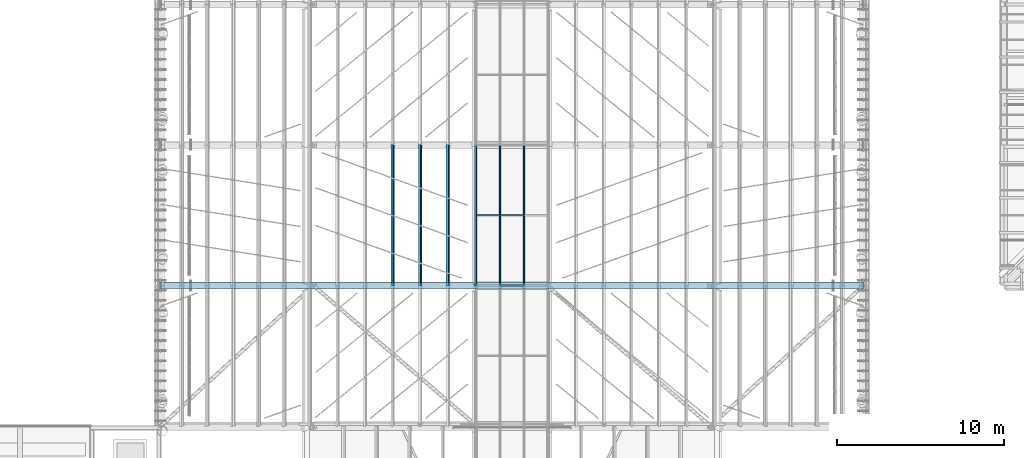
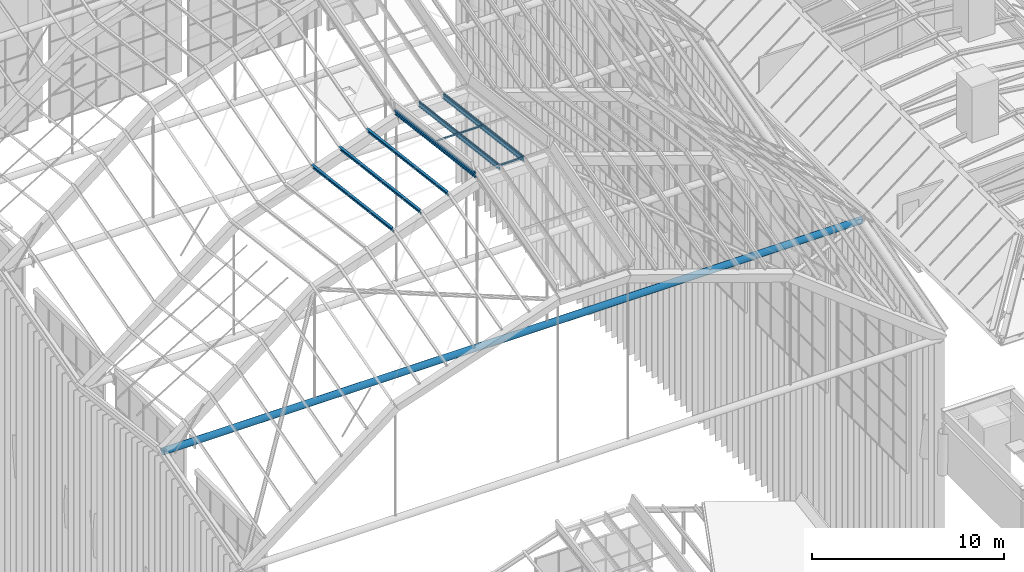
# One storey, part 23 of 126: 13 members.
"""IFC4 building model written with IfcOpenShell, lengths in metres."""

from ifc_helpers import new_model, si_unit, direction, frame, origin, origin_2d, place, context, subcontext, project, spatial, rectangle, hollow_circle, i_section, extrude, material, material_profile, profile_set, type_object, element, save


model = new_model("IFC4")

# Units and contexts
model_context = context("Model", 3, precision=1e-05, world=origin(), true_north=direction((0.0, 1.0)))
body_context = subcontext(model_context, "Body", "Model", "MODEL_VIEW")
ifc_project = project(units=[si_unit("LENGTHUNIT", "METRE"), si_unit("AREAUNIT", "SQUARE_METRE"), si_unit("VOLUMEUNIT", "CUBIC_METRE"), si_unit("PLANEANGLEUNIT", "RADIAN"), si_unit("MASSUNIT", "GRAM", prefix="KILO")], contexts=[model_context])

# Site, building, storey
site_placement = place(None, origin())
site = spatial("IfcSite", under=ifc_project, at=site_placement, CompositionType="ELEMENT")
building_placement = place(site_placement, origin())
building = spatial("IfcBuilding", under=site, at=building_placement, Name="Sava Quay Ferry Terminal", CompositionType="ELEMENT")
storey_placement = place(building_placement, frame((0.0, 0.0, 15.0)))
storey = spatial("IfcBuildingStorey", under=building, at=storey_placement, Name="L03", CompositionType="ELEMENT", Elevation=15.0)

# Members
ifc_material_1 = material(Name="Steel S355", Category="steel")
ifc_material_profile_1 = material_profile(ifc_material_1, hollow_circle(Radius=0.203125, WallThickness=0.01611328125, at=origin_2d()), Name="CHS 406.4 x 16.0")
ifc_profile_set_1 = profile_set([ifc_material_profile_1], Name="Steel S355")
member_type_1 = type_object("IfcMemberType", Name="D arch tie CHS 406.4x16", PredefinedType="USERDEFINED", material=ifc_profile_set_1)
member_1_placement = place(storey_placement, frame((42.0, 58.800048828125, 10.757080078125), z_axis=(1.0, 0.0, 0.0), x_axis=(0.0, 1.0, 0.0)))
element("IfcMember", 1, at=member_1_placement, inside=storey, type_object=member_type_1, Name="Departure hall arch tie R1", ObjectType="ARCH TIE", PredefinedType="USERDEFINED", context=body_context, shape_type="SweptSolid", body=[
    extrude(hollow_circle(Radius=0.203125, WallThickness=0.01611328125, at=origin_2d()), origin(), (0.0, 0.0, 1.0), 42.0),
])
ifc_material_2 = material(Name="Aluminium EN AW-6063 T6", Category="aluminium")
ifc_material_profile_2 = material_profile(ifc_material_2, rectangle(XDim=0.06005859375, YDim=0.06005859375, at=origin_2d()), Name="Bar 60 x 60")
ifc_profile_set_2 = profile_set([ifc_material_profile_2], Name="Aluminium EN AW-6063 T6")
member_type_2 = type_object("IfcMemberType", Name="Glazing bar 60x60", PredefinedType="USERDEFINED", material=ifc_profile_set_2)
for number, where, z_axis, x_axis, name in (
    (2, (60.850341796875, 58.800048828125, 21.85888671875), (0.0, 0.992379601397, -0.123218207788), (-1.0, 0.0, 0.0), "Departure hall glazing bar D-B1-GL2.0"),
    (3, (62.266845703125, 58.800048828125, 21.85888671875), (0.0, 0.992379601397, -0.123218207788), (-1.0, 0.0, 0.0), "Departure hall glazing bar D-B1-GL2.1"),
    (4, (63.733154296875, 58.800048828125, 21.85888671875), (0.0, 0.992379601397, -0.123218207788), (-1.0, 0.0, 0.0), "Departure hall glazing bar D-B1-GL2.2"),
):
    element("IfcMember", number, at=place(storey_placement, frame(where, z_axis=z_axis, x_axis=x_axis)), inside=storey, type_object=member_type_2, Name=name, ObjectType="GLAZING BAR", PredefinedType="USERDEFINED", context=body_context, shape_type="SweptSolid", body=[
        extrude(rectangle(XDim=0.06005859375, YDim=0.06005859375, at=origin_2d()), origin(), (0.0, 0.0, 1.0), 8.46435546875),
    ])
member_2_placement = place(storey_placement, frame((62.296630859375, 58.800048828125, 21.85595703125), z_axis=(1.0, 0.0, 0.0), x_axis=(0.0, 0.992379325118, -0.123220432876)))
element("IfcMember", 5, at=member_2_placement, inside=storey, type_object=member_type_2, Name="Departure hall glazing bar D-R1-GT2.1", ObjectType="GLAZING BAR", PredefinedType="USERDEFINED", context=body_context, shape_type="SweptSolid", body=[
    extrude(rectangle(XDim=0.06005859375, YDim=0.06005859375, at=origin_2d()), origin(), (0.0, 0.0, 1.0), 1.40673828125),
])
member_3_placement = place(storey_placement, frame((60.88037109375, 63.0, 21.33740234375), z_axis=(1.0, 0.0, 0.0), x_axis=(0.0, 0.992379325118, -0.123220432876)))
element("IfcMember", 6, at=member_3_placement, inside=storey, type_object=member_type_2, Name="Departure hall glazing bar D-B1M-GT2.0", ObjectType="GLAZING BAR", PredefinedType="USERDEFINED", context=body_context, shape_type="SweptSolid", body=[
    extrude(rectangle(XDim=0.06005859375, YDim=0.06005859375, at=origin_2d()), origin(), (0.0, 0.0, 1.0), 1.3564453125),
])
member_4_placement = place(storey_placement, frame((62.296875, 63.0, 21.33740234375), z_axis=(1.0, 0.0, 0.0), x_axis=(0.0, 0.992379325118, -0.123220432876)))
element("IfcMember", 7, at=member_4_placement, inside=storey, type_object=member_type_2, Name="Departure hall glazing bar D-B1M-GT2.1", ObjectType="GLAZING BAR", PredefinedType="USERDEFINED", context=body_context, shape_type="SweptSolid", body=[
    extrude(rectangle(XDim=0.06005859375, YDim=0.06005859375, at=origin_2d()), origin(), (0.0, 0.0, 1.0), 1.40625),
])
ifc_material_3 = material(Name="Steel S355", Category="steel")
ifc_material_profile_3 = material_profile(ifc_material_3, i_section(OverallWidth=0.135009765625, OverallDepth=0.27001953125, WebThickness=0.006591796875, FlangeThickness=0.01025390625, at=origin_2d()), Name="IPE 270")
ifc_profile_set_3 = profile_set([ifc_material_profile_3], Name="Steel S355")
member_type_3 = type_object("IfcMemberType", Name="Roof purlin IPE 270", PredefinedType="PURLIN", material=ifc_profile_set_3)
for number, where, z_axis, x_axis, name in (
    (8, (55.874267578125, 58.800048828125, 19.98681640625), (0.0, 0.992379601397, -0.123218207788), (-0.946280328205, -0.039842287, -0.320883362952), "Departure hall purlin bay 2 M1.3"),
    (9, (57.525390625, 58.800048828125, 20.555419921875), (0.0, 0.992379601397, -0.123218207788), (-0.946280328205, -0.039842287, -0.320883362952), "Departure hall purlin bay 2 M1.4"),
    (10, (59.176513671875, 58.800048828125, 21.1240234375), (0.0, 0.992379601397, -0.123218207788), (-0.946280328205, -0.039842287, -0.320883362952), "Departure hall purlin bay 2 M1.5"),
    (11, (60.82763671875, 58.800048828125, 21.692626953125), (0.0, 0.992379601397, -0.123218207788), (-0.986478668853, -0.02019419591, -0.162640801612), "Departure hall purlin bay 2 V2"),
    (12, (62.27587890625, 58.800048828125, 21.692626953125), (0.0, 0.992379601397, -0.123218207788), (-1.0, 0.0, 0.0), "Departure hall purlin bay 2 M2.1"),
    (13, (63.72412109375, 58.800048828125, 21.692626953125), (0.0, 0.992379601397, -0.123218207788), (-1.0, 0.0, 0.0), "Departure hall purlin bay 2 M2.2"),
):
    element("IfcMember", number, at=place(storey_placement, frame(where, z_axis=z_axis, x_axis=x_axis)), inside=storey, type_object=member_type_3, Name=name, PredefinedType="PURLIN", context=body_context, shape_type="SweptSolid", body=[
        extrude(i_section(OverallWidth=0.135009765625, OverallDepth=0.27001953125, WebThickness=0.006591796875, FlangeThickness=0.01025390625, at=origin_2d()), origin(), (0.0, 0.0, 1.0), 8.46435546875),
    ])

save(model, "model.ifc")
